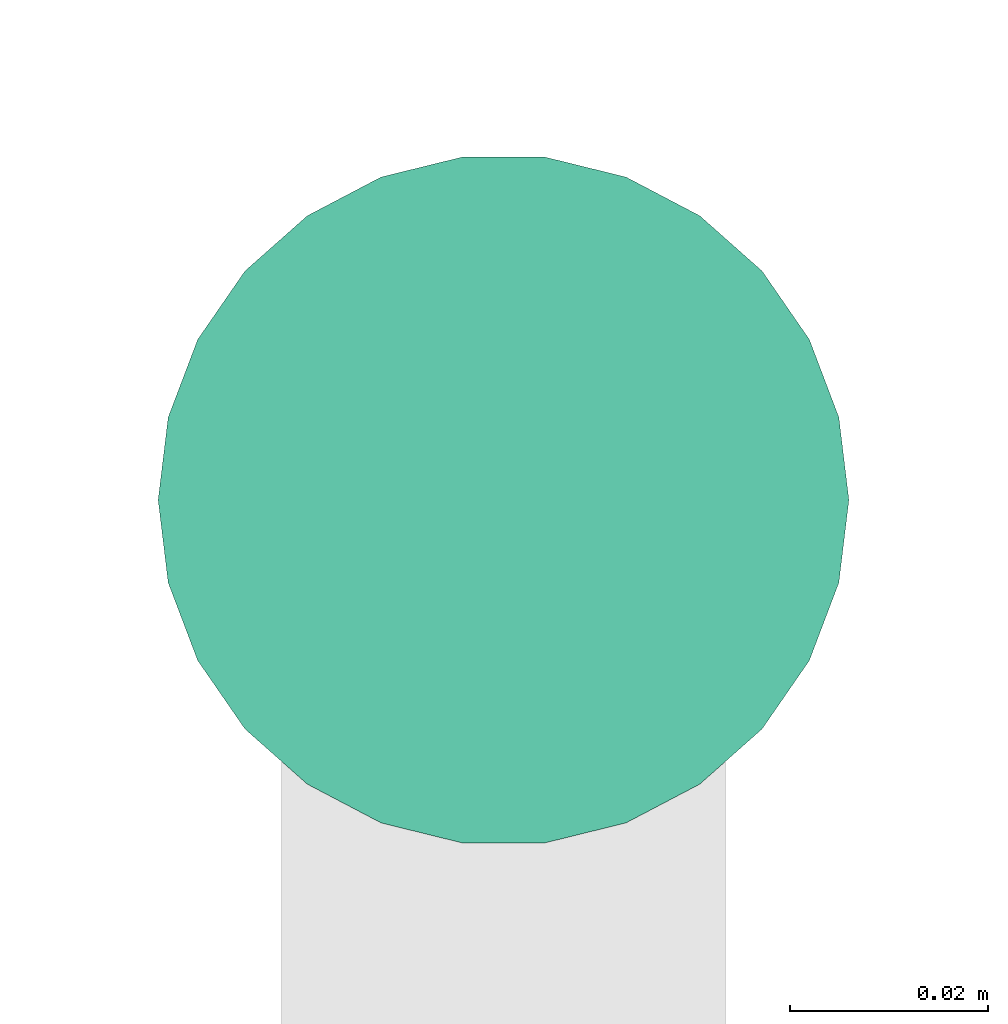
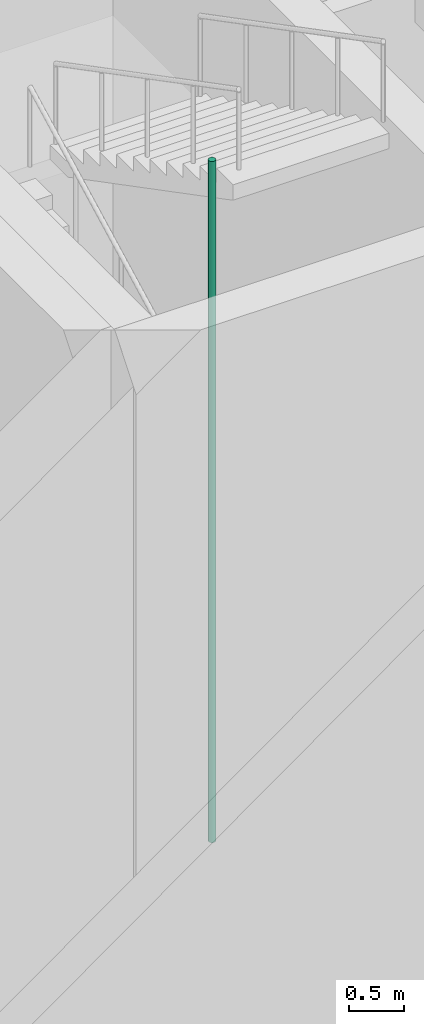
# One storey, part 25 of 36: 1 pipe segment.
"""IFC4 building model written with IfcOpenShell, lengths in metres."""

from ifc_helpers import new_model, si_unit, direction, frame, origin, origin_2d, place, context, subcontext, project, spatial, circle, extrude, element, save


model = new_model("IFC4")

# Units and contexts
model_context = context("Model", 3, precision=1e-05, world=origin(), true_north=direction((0.0, 1.0)))
body_context = subcontext(model_context, "Body", "Model", "MODEL_VIEW")
ifc_project = project(units=[si_unit("LENGTHUNIT", "METRE"), si_unit("AREAUNIT", "SQUARE_METRE"), si_unit("VOLUMEUNIT", "CUBIC_METRE"), si_unit("PLANEANGLEUNIT", "RADIAN"), si_unit("MASSUNIT", "GRAM", prefix="KILO")], contexts=[model_context])

# Site, building, storey
site_placement = place(None, origin())
site = spatial("IfcSite", under=ifc_project, at=site_placement, CompositionType="ELEMENT")
building_placement = place(site_placement, origin())
building = spatial("IfcBuilding", under=site, at=building_placement, Name="Nzadi Deep Aquarium and Research Tower", CompositionType="ELEMENT")
storey_placement = place(building_placement, frame((0.0, 0.0, 14.199951171875)))
storey = spatial("IfcBuildingStorey", under=building, at=storey_placement, Name="L02", CompositionType="ELEMENT", Elevation=14.199951171875)

# Pipe segment
pipe_segment_placement = place(storey_placement, frame((25.10009765625, 13.719970703125, 0.0), z_axis=(0.0, 0.0, 1.0), x_axis=(1.0, 0.0, 0.0)))
element("IfcPipeSegment", 1, at=pipe_segment_placement, inside=storey, Name="Dry riser ST-Z1-SE L02", PredefinedType="RIGIDSEGMENT", context=body_context, shape_type="SweptSolid", body=[
    extrude(circle(Radius=0.034912109375, at=origin_2d()), origin(), (0.0, 0.0, 1.0), 7.5),
])

save(model, "model.ifc")
